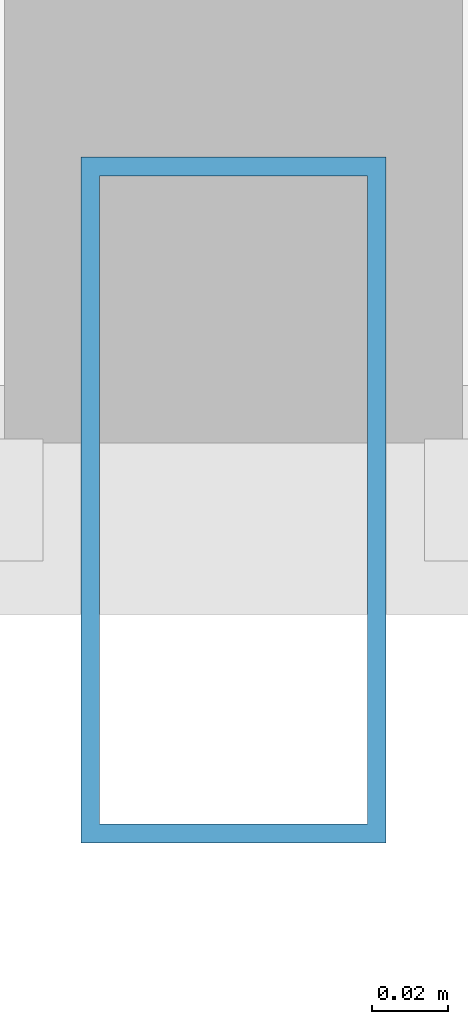
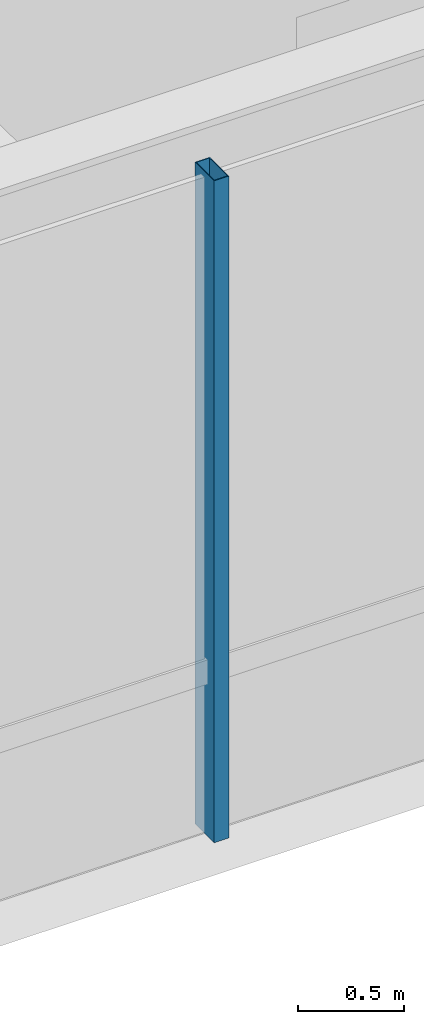
# One storey, part 8 of 27: 1 member, 1 element without a shape of its own.
"""IFC4 building model written with IfcOpenShell, lengths in metres."""

from ifc_helpers import new_model, si_unit, direction, frame, origin, origin_2d, place, context, subcontext, project, spatial, hollow_rectangle, extrude, material, layer, layer_set, material_profile, profile_set, type_object, element, aggregate, save


model = new_model("IFC4")

# Units and contexts
model_context = context("Model", 3, precision=1e-05, world=origin(), true_north=direction((0.0, 1.0)))
body_context = subcontext(model_context, "Body", "Model", "MODEL_VIEW")
ifc_project = project(units=[si_unit("LENGTHUNIT", "METRE"), si_unit("AREAUNIT", "SQUARE_METRE"), si_unit("VOLUMEUNIT", "CUBIC_METRE"), si_unit("PLANEANGLEUNIT", "RADIAN"), si_unit("MASSUNIT", "GRAM", prefix="KILO")], contexts=[model_context])

# Site, building, storey
site_placement = place(None, origin())
site = spatial("IfcSite", under=ifc_project, at=site_placement, CompositionType="ELEMENT")
building_placement = place(site_placement, origin())
building = spatial("IfcBuilding", under=site, at=building_placement, Name="Zarrinselat Tower", CompositionType="ELEMENT")
storey_placement = place(building_placement, frame((0.0, 0.0, 80.580078125)))
storey = spatial("IfcBuildingStorey", under=building, at=storey_placement, Name="L19", CompositionType="ELEMENT", Elevation=80.580078125)

# Curtain wall, member
ifc_material_1 = material(Name="Extruded Aluminium Alloy EN AW-6063 T6", Category="aluminium")
ifc_layer = layer(ifc_material_1, 0.18505859375)
ifc_layer_set = layer_set([ifc_layer], Name="Extruded Aluminium Alloy EN AW-6063 T6")
curtain_wall_type = type_object("IfcCurtainWallType", Name="CWS-OFF", PredefinedType="NOTDEFINED", material=ifc_layer_set)
curtain_wall_placement = place(storey_placement, origin())
curtain_wall = element("IfcCurtainWall", 1, at=curtain_wall_placement, inside=storey, type_object=curtain_wall_type, Name="L19 Unitised Curtain Wall CW-L19-E04", PredefinedType="NOTDEFINED")
ifc_material_2 = material(Name="Extruded Aluminium Alloy EN AW-6063 T6", Category="aluminium")
ifc_material_profile = material_profile(ifc_material_2, hollow_rectangle(XDim=0.080078125, YDim=0.179931640625, WallThickness=0.0048828125, at=origin_2d()), Name="RHS 180x80x5")
ifc_profile_set = profile_set([ifc_material_profile], Name="Extruded Aluminium Alloy EN AW-6063 T6")
member_type = type_object("IfcMemberType", Name="MEM-CW-MUL", PredefinedType="MULLION", material=ifc_profile_set)
member_placement = place(storey_placement, frame((38.39990234375, 18.60498046875, 0.0), z_axis=(0.0, 0.0, 1.0), x_axis=(1.0, 0.0, 0.0)))
member = element("IfcMember", 2, at=member_placement, type_object=member_type, Name="CW-L19-E04 Mullion 4", PredefinedType="MULLION", context=body_context, shape_type="SweptSolid", body=[
    extrude(hollow_rectangle(XDim=0.080078125, YDim=0.179931640625, WallThickness=0.0048828125, at=origin_2d()), origin(), (0.0, 0.0, 1.0), 3.81982421875),
])
aggregate(curtain_wall, [member])

save(model, "model.ifc")
